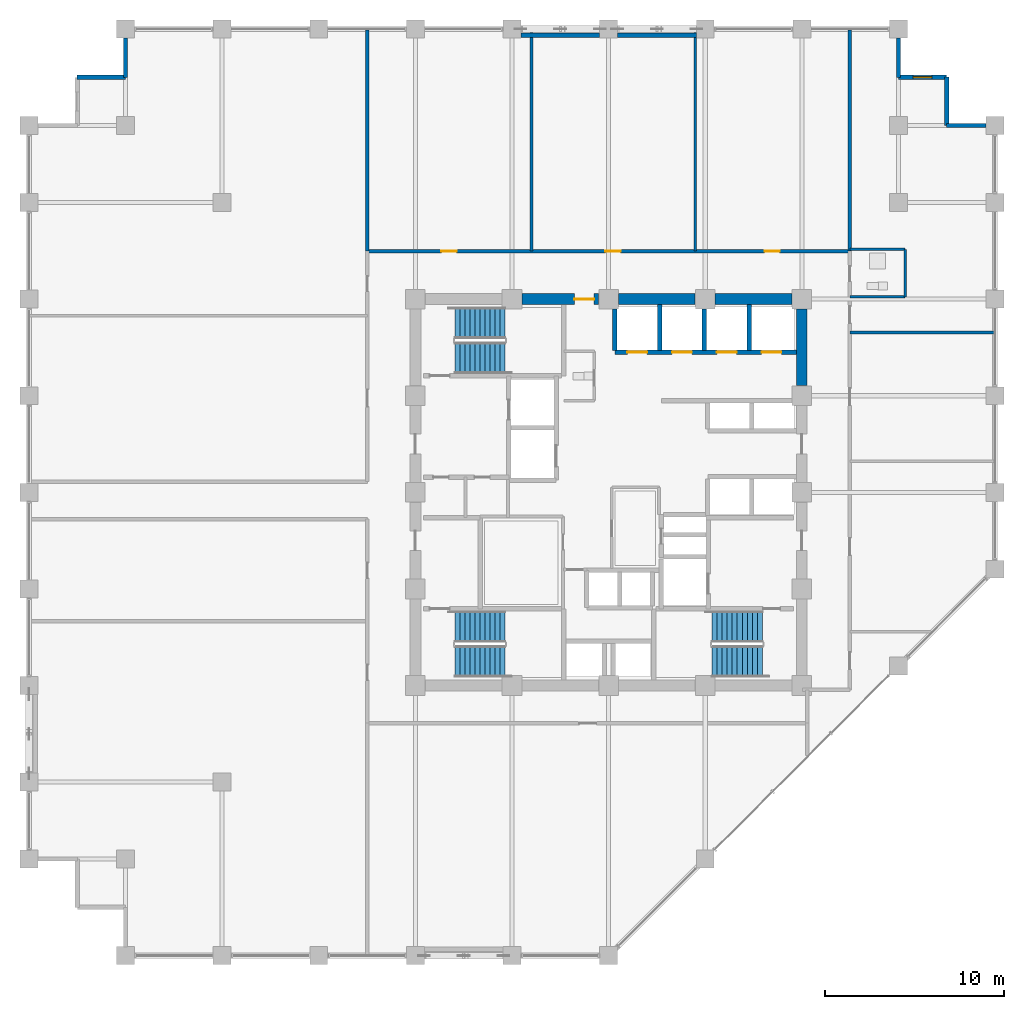
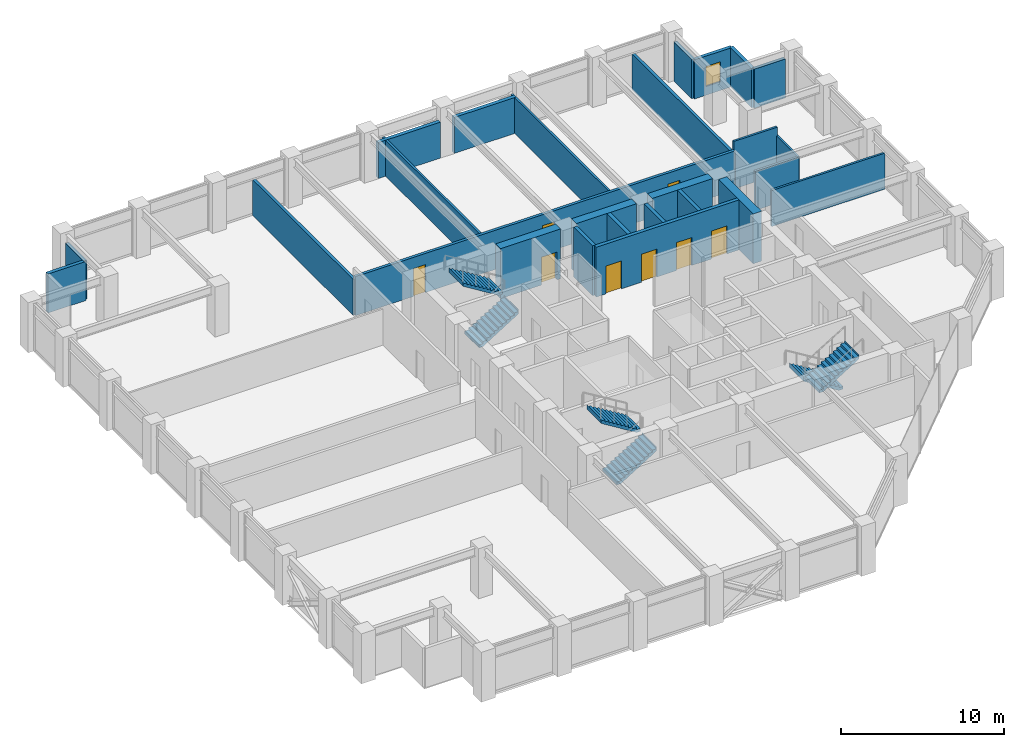
# One storey, part 21 of 23: 26 walls, 8 doors, 6 stair flights, 1 window, 9 openings, 3 elements without a shape of their own.
"""IFC4 building model written with IfcOpenShell, lengths in metres."""

from ifc_helpers import new_model, si_unit, direction, frame, frame_2d, origin, place, context, subcontext, project, spatial, polyline, rectangle, outline, extrude, material, layer, layer_set, type_object, element, fill, aggregate, save


model = new_model("IFC4")

# Units and contexts
model_context = context("Model", 3, precision=1e-05, world=origin(), true_north=direction((0.0, 1.0)))
body_context = subcontext(model_context, "Body", "Model", "MODEL_VIEW")
ifc_project = project(units=[si_unit("LENGTHUNIT", "METRE"), si_unit("AREAUNIT", "SQUARE_METRE"), si_unit("VOLUMEUNIT", "CUBIC_METRE"), si_unit("PLANEANGLEUNIT", "RADIAN"), si_unit("MASSUNIT", "GRAM", prefix="KILO")], contexts=[model_context])

# Site, building, storey
site_placement = place(None, origin())
site = spatial("IfcSite", under=ifc_project, at=site_placement, CompositionType="ELEMENT")
building_placement = place(site_placement, origin())
building = spatial("IfcBuilding", under=site, at=building_placement, Name="Surkhivell Harbour Commons", CompositionType="ELEMENT")
storey_placement = place(building_placement, frame((0.0, 0.0, 132.0)))
storey = spatial("IfcBuildingStorey", under=building, at=storey_placement, Name="L34", CompositionType="ELEMENT", Elevation=132.0)

# Wall, opening, door
ifc_material_1 = material(Name="Concrete C60/75", Category="concrete")
ifc_layer_1 = layer(ifc_material_1, 0.60009765625)
ifc_layer_set_1 = layer_set([ifc_layer_1], Name="Concrete C60/75")
wall_type_1 = type_object("IfcWallType", Name="WAL-CORE-600", PredefinedType="SHEAR", material=ifc_layer_set_1)
wall_1_placement = place(storey_placement, frame((-4.840087890625, 10.800048828125, 0.0), z_axis=(0.0, 0.0, 1.0), x_axis=(1.0, 0.0, 0.0)))
wall_1 = element("IfcWall", 1, at=wall_1_placement, inside=storey, type_object=wall_type_1, Name="L34 Core Shear Wall North 2", PredefinedType="SHEAR", context=body_context, shape_type="SweptSolid", body=[
    extrude(rectangle(XDim=4.280029296875, YDim=0.60009765625, at=frame_2d((2.14013671875, 0.0))), origin(), (0.0, 0.0, 1.0), 3.75),
])
opening_1_placement = place(wall_1_placement, frame((2.929931640625, 0.0, 0.0)))
opening_1 = element("IfcOpeningElement", 2, at=opening_1_placement, cuts=wall_1, Name="Opening ID-2", PredefinedType="OPENING", context=body_context, shape_type="SweptSolid", body=[
    extrude(rectangle(XDim=1.10009765625, YDim=2.10009765625, at=frame_2d((0.550048828125, 1.050048828125))), frame((0.0, 0.31005859375, 0.0), z_axis=(0.0, -1.0, 0.0), x_axis=(1.0, 0.0, 0.0)), (0.0, 0.0, 1.0), 0.6201171875),
])
ifc_material_2 = material(Name="Hardwood-veneered fire-rated door leaf", Category="wood")
door_type_1 = type_object("IfcDoorType", Name="DOR-FD60-1100", OperationType="NOTDEFINED", PredefinedType="DOOR", material=ifc_material_2)
door_1_placement = place(opening_1_placement, origin())
door_1 = element("IfcDoor", 3, at=door_1_placement, inside=storey, type_object=door_type_1, Name="L34 Central Core Lift Hall North Corridor Door", OperationType="SINGLE_SWING_LEFT", OverallHeight=2.10009765625, OverallWidth=1.10009765625, PredefinedType="DOOR", context=body_context, shape_type="SweptSolid", body=[
    extrude(rectangle(XDim=1.10009765625, YDim=2.10009765625, at=frame_2d((0.550048828125, 1.050048828125))), frame((0.0, 0.02490234375, 0.0), z_axis=(0.0, -1.0, 0.0), x_axis=(1.0, 0.0, 0.0)), (0.0, 0.0, 1.0), 0.050048828125),
])
fill(opening_1, door_1)

# Walls
for number, where, z_axis, x_axis, name in (
    (4, (0.56005859375, 10.800048828125, 0.0), (0.0, 0.0, 1.0), (1.0, 0.0, 0.0), "L34 Core Shear Wall North 3"),
    (5, (5.9599609375, 10.800048828125, 0.0), (0.0, 0.0, 1.0), (1.0, 0.0, 0.0), "L34 Core Shear Wall North 4"),
    (6, (10.800048828125, 5.9599609375, 0.0), (0.0, 0.0, 1.0), (0.0, 1.0, 0.0), "L34 Core Shear Wall East 4"),
):
    element("IfcWall", number, at=place(storey_placement, frame(where, z_axis=z_axis, x_axis=x_axis)), inside=storey, type_object=wall_type_1, Name=name, PredefinedType="SHEAR", context=body_context, shape_type="SweptSolid", body=[
        extrude(rectangle(XDim=4.280029296875, YDim=0.60009765625, at=frame_2d((2.14013671875, 0.0))), origin(), (0.0, 0.0, 1.0), 3.75),
    ])
ifc_material_3 = material(Name="Pale-metal insulated precast concrete C45/55", Category="concrete")
ifc_layer_2 = layer(ifc_material_3, 0.260009765625)
ifc_layer_set_2 = layer_set([ifc_layer_2], Name="Pale-metal insulated precast concrete C45/55")
wall_type_2 = type_object("IfcWallType", Name="WAL-EXT-MTL260", PredefinedType="STANDARD", material=ifc_layer_set_2)
for number, where, z_axis, x_axis, name in (
    (7, (-0.498046875, 25.5400390625, 0.0), (0.0, 0.0, 1.0), (-1.0, 0.0, 0.0), "L34 Braced-Bay Insulated Spandrel Backing N"),
    (8, (4.902099609375, 25.5400390625, 0.0), (0.0, 0.0, 1.0), (-1.0, 0.0, 0.0), "L34 Braced-Bay Insulated Spandrel Backing N2"),
):
    element("IfcWall", number, at=place(storey_placement, frame(where, z_axis=z_axis, x_axis=x_axis)), inside=storey, type_object=wall_type_2, Name=name, PredefinedType="STANDARD", context=body_context, shape_type="SweptSolid", body=[
        extrude(rectangle(XDim=4.404052734375, YDim=0.260009765625, at=frame_2d((2.2021484375, 0.0))), origin(), (0.0, 0.0, 1.0), 2.698974609375),
    ])
ifc_material_4 = material(Name="Bronze-ochre cassette precast concrete C45/55", Category="concrete")
ifc_layer_3 = layer(ifc_material_4, 0.239990234375)
ifc_layer_set_3 = layer_set([ifc_layer_3], Name="Bronze-ochre cassette precast concrete C45/55")
wall_type_3 = type_object("IfcWallType", Name="WAL-EXT-OCH240", PredefinedType="STANDARD", material=ifc_layer_set_3)
wall_2_placement = place(storey_placement, frame((21.10205078125, 20.5, 0.0), z_axis=(0.0, 0.0, 1.0), x_axis=(-1.0, 0.0, 0.0)))
element("IfcWall", 9, at=wall_2_placement, inside=storey, type_object=wall_type_3, Name="L34 Serrated Corner Facade Wall 03", PredefinedType="STANDARD", context=body_context, shape_type="SweptSolid", body=[
    extrude(rectangle(XDim=2.2021484375, YDim=0.239990234375, at=frame_2d((1.10107421875, 0.0))), origin(), (0.0, 0.0, 1.0), 2.93310546875),
])
wall_3_placement = place(storey_placement, frame((18.89990234375, 20.5, 0.0), z_axis=(0.0, 0.0, 1.0), x_axis=(0.0, 1.0, 0.0)))
element("IfcWall", 10, at=wall_3_placement, inside=storey, type_object=wall_type_3, Name="L34 Serrated Corner Facade Wall 04", PredefinedType="STANDARD", context=body_context, shape_type="SweptSolid", body=[
    extrude(rectangle(XDim=2.699951171875, YDim=0.239990234375, at=frame_2d((1.35009765625, 0.0))), origin(), (0.0, 0.0, 1.0), 2.93310546875),
])

# Wall, opening, window
wall_4_placement = place(storey_placement, frame((18.89990234375, 23.199951171875, 0.0), z_axis=(0.0, 0.0, 1.0), x_axis=(-1.0, 0.0, 0.0)))
wall_4 = element("IfcWall", 11, at=wall_4_placement, inside=storey, type_object=wall_type_3, Name="L34 Serrated Corner Facade Wall 05", PredefinedType="STANDARD", context=body_context, shape_type="SweptSolid", body=[
    extrude(rectangle(XDim=2.699951171875, YDim=0.239990234375, at=frame_2d((1.35009765625, 0.0))), origin(), (0.0, 0.0, 1.0), 2.93310546875),
])
opening_2_placement = place(wall_4_placement, frame((0.824951171875, 0.0, 0.64990234375)))
opening_2 = element("IfcOpeningElement", 12, at=opening_2_placement, cuts=wall_4, Name="Opening WN-11", PredefinedType="OPENING", context=body_context, shape_type="SweptSolid", body=[
    extrude(rectangle(XDim=1.050048828125, YDim=1.5, at=frame_2d((0.52490234375, 0.75))), frame((0.0, 0.1298828125, 0.0), z_axis=(0.0, -1.0, 0.0), x_axis=(1.0, 0.0, 0.0)), (0.0, 0.0, 1.0), 0.260009765625),
])
ifc_material_5 = material(Name="Thermal-break aluminium frame and double low-E glazing", Category="aluminium")
window_type = type_object("IfcWindowType", Name="WIN-SER-1050x1500", PartitioningType="SINGLE_PANEL", PredefinedType="WINDOW", material=ifc_material_5)
window_placement = place(opening_2_placement, origin())
window = element("IfcWindow", 13, at=window_placement, inside=storey, type_object=window_type, Name="L34 Serrated Alcove Window 05", OverallHeight=1.5, OverallWidth=1.050048828125, PartitioningType="SINGLE_PANEL", PredefinedType="WINDOW", context=body_context, shape_type="SweptSolid", body=[
    extrude(rectangle(XDim=1.050048828125, YDim=1.5, at=frame_2d((0.52490234375, 0.75))), frame((0.0, 0.030029296875, 0.0), z_axis=(0.0, -1.0, 0.0), x_axis=(1.0, 0.0, 0.0)), (0.0, 0.0, 1.0), 0.06005859375),
])
fill(opening_2, window)

# Walls
for number, where, z_axis, x_axis, name in (
    (14, (16.199951171875, 23.199951171875, 0.0), (0.0, 0.0, 1.0), (0.0, 1.0, 0.0), "L34 Serrated Corner Facade Wall 06"),
    (15, (-27.0, 25.402099609375, 0.0), (0.0, 0.0, 1.0), (0.0, -1.0, 0.0), "L34 Serrated Corner Facade Wall 08"),
):
    element("IfcWall", number, at=place(storey_placement, frame(where, z_axis=z_axis, x_axis=x_axis)), inside=storey, type_object=wall_type_3, Name=name, PredefinedType="STANDARD", context=body_context, shape_type="SweptSolid", body=[
        extrude(rectangle(XDim=2.2021484375, YDim=0.239990234375, at=frame_2d((1.10107421875, 0.0))), origin(), (0.0, 0.0, 1.0), 2.93310546875),
    ])
wall_5_placement = place(storey_placement, frame((-27.0, 23.199951171875, 0.0), z_axis=(0.0, 0.0, 1.0), x_axis=(-1.0, 0.0, 0.0)))
element("IfcWall", 16, at=wall_5_placement, inside=storey, type_object=wall_type_3, Name="L34 Serrated Corner Facade Wall 09", PredefinedType="STANDARD", context=body_context, shape_type="SweptSolid", body=[
    extrude(rectangle(XDim=2.699951171875, YDim=0.239990234375, at=frame_2d((1.35009765625, 0.0))), origin(), (0.0, 0.0, 1.0), 2.93310546875),
])
ifc_material_6 = material(Name="Twin-stud acoustic fireboard partition", Category="other")
ifc_layer_4 = layer(ifc_material_6, 0.14990234375)
ifc_layer_set_4 = layer_set([ifc_layer_4], Name="Twin-stud acoustic fireboard partition")
wall_type_4 = type_object("IfcWallType", Name="WAL-INT-150", PredefinedType="PARTITIONING", material=ifc_layer_set_4)
wall_6_placement = place(storey_placement, frame((16.580078125, 10.929931640625, 0.0), z_axis=(0.0, 0.0, 1.0), x_axis=(0.0, 1.0, 0.0)))
element("IfcWall", 17, at=wall_6_placement, inside=storey, type_object=wall_type_4, Name="L34 East Partition BTHB", PredefinedType="PARTITIONING", context=body_context, shape_type="SweptSolid", body=[
    extrude(rectangle(XDim=2.650146484375, YDim=0.14990234375, at=frame_2d((1.3251953125, 0.0))), origin(), (0.0, 0.0, 1.0), 2.93310546875),
])
wall_7_placement = place(storey_placement, frame((13.47998046875, 13.580078125, 0.0), z_axis=(0.0, 0.0, 1.0), x_axis=(1.0, 0.0, 0.0)))
element("IfcWall", 18, at=wall_7_placement, inside=storey, type_object=wall_type_4, Name="L34 East Partition BTHN", PredefinedType="PARTITIONING", context=body_context, shape_type="SweptSolid", body=[
    extrude(rectangle(XDim=3.10009765625, YDim=0.14990234375, at=frame_2d((1.550048828125, 0.0))), origin(), (0.0, 0.0, 1.0), 3.570068359375),
])
wall_8_placement = place(storey_placement, frame((13.47998046875, 10.929931640625, 0.0), z_axis=(0.0, 0.0, 1.0), x_axis=(1.0, 0.0, 0.0)))
element("IfcWall", 19, at=wall_8_placement, inside=storey, type_object=wall_type_4, Name="L34 East Partition BTHS", PredefinedType="PARTITIONING", context=body_context, shape_type="SweptSolid", body=[
    extrude(rectangle(XDim=3.10009765625, YDim=0.14990234375, at=frame_2d((1.550048828125, 0.0))), origin(), (0.0, 0.0, 1.0), 2.93310546875),
])
wall_9_placement = place(storey_placement, frame((13.47998046875, 8.929931640625, 0.0), z_axis=(0.0, 0.0, 1.0), x_axis=(1.0, 0.0, 0.0)))
element("IfcWall", 20, at=wall_9_placement, inside=storey, type_object=wall_type_4, Name="L34 East Partition PTOP", PredefinedType="PARTITIONING", context=body_context, shape_type="SweptSolid", body=[
    extrude(rectangle(XDim=8.06005859375, YDim=0.14990234375, at=frame_2d((4.030029296875, 0.0))), origin(), (0.0, 0.0, 1.0), 2.698974609375),
])
for number, where, z_axis, x_axis, name in (
    (21, (-4.31005859375, 13.47998046875, 0.0), (0.0, 0.0, 1.0), (0.0, 1.0, 0.0), "L34 North Partition P1"),
    (22, (4.85009765625, 13.47998046875, 0.0), (0.0, 0.0, 1.0), (0.0, 1.0, 0.0), "L34 North Partition P2"),
):
    element("IfcWall", number, at=place(storey_placement, frame(where, z_axis=z_axis, x_axis=x_axis)), inside=storey, type_object=wall_type_4, Name=name, PredefinedType="PARTITIONING", context=body_context, shape_type="SweptSolid", body=[
        extrude(rectangle(XDim=12.360107421875, YDim=0.14990234375, at=frame_2d((6.18017578125, 0.0))), origin(), (0.0, 0.0, 1.0), 2.698974609375),
    ])
ifc_material_7 = material(Name="Autoclaved aerated concrete blockwork and fire plaster", Category="masonry")
ifc_layer_5 = layer(ifc_material_7, 0.199951171875)
ifc_layer_set_5 = layer_set([ifc_layer_5], Name="Autoclaved aerated concrete blockwork and fire plaster")
wall_type_5 = type_object("IfcWallType", Name="WAL-INT-200", PredefinedType="PARTITIONING", material=ifc_layer_set_5)
for number, where, z_axis, x_axis, name in (
    (23, (13.47998046875, 13.47998046875, 0.0), (0.0, 0.0, 1.0), (0.0, 1.0, 0.0), "L34 North-East Wing Corner Divider"),
    (24, (-13.47998046875, 13.47998046875, 0.0), (0.0, 0.0, 1.0), (0.0, 1.0, 0.0), "L34 North-West Wing Corner Divider"),
):
    element("IfcWall", number, at=place(storey_placement, frame(where, z_axis=z_axis, x_axis=x_axis)), inside=storey, type_object=wall_type_5, Name=name, PredefinedType="PARTITIONING", context=body_context, shape_type="SweptSolid", body=[
        extrude(rectangle(XDim=12.360107421875, YDim=0.199951171875, at=frame_2d((6.18017578125, 0.0))), origin(), (0.0, 0.0, 1.0), 2.698974609375),
    ])

# Wall, openings, doors
wall_10_placement = place(storey_placement, frame((-13.47998046875, 13.47998046875, 0.0), z_axis=(0.0, 0.0, 1.0), x_axis=(1.0, 0.0, 0.0)))
wall_10 = element("IfcWall", 25, at=wall_10_placement, inside=storey, type_object=wall_type_5, Name="L34 Corridor North Wall", PredefinedType="PARTITIONING", context=body_context, shape_type="SweptSolid", body=[
    extrude(rectangle(XDim=26.9599609375, YDim=0.199951171875, at=frame_2d((13.47998046875, 0.0))), origin(), (0.0, 0.0, 1.0), 2.93310546875),
])
opening_3_placement = place(wall_10_placement, frame((4.135009765625, 0.0, 0.0)))
opening_3 = element("IfcOpeningElement", 26, at=opening_3_placement, cuts=wall_10, Name="Opening ID-6", PredefinedType="OPENING", context=body_context, shape_type="SweptSolid", body=[
    extrude(rectangle(XDim=0.85009765625, YDim=2.10009765625, at=frame_2d((0.425048828125, 1.050048828125))), frame((0.0, 0.10986328125, 0.0), z_axis=(0.0, -1.0, 0.0), x_axis=(1.0, 0.0, 0.0)), (0.0, 0.0, 1.0), 0.219970703125),
])
opening_4_placement = place(wall_10_placement, frame((13.300048828125, 0.0, 0.0)))
opening_4 = element("IfcOpeningElement", 27, at=opening_4_placement, cuts=wall_10, Name="Opening ID-6", PredefinedType="OPENING", context=body_context, shape_type="SweptSolid", body=[
    extrude(rectangle(XDim=0.85009765625, YDim=2.10009765625, at=frame_2d((0.425048828125, 1.050048828125))), frame((0.0, 0.10986328125, 0.0), z_axis=(0.0, -1.0, 0.0), x_axis=(1.0, 0.0, 0.0)), (0.0, 0.0, 1.0), 0.219970703125),
])
opening_5_placement = place(wall_10_placement, frame((22.195068359375, 0.0, 0.0)))
opening_5 = element("IfcOpeningElement", 28, at=opening_5_placement, cuts=wall_10, Name="Opening ID-6", PredefinedType="OPENING", context=body_context, shape_type="SweptSolid", body=[
    extrude(rectangle(XDim=0.85009765625, YDim=2.10009765625, at=frame_2d((0.425048828125, 1.050048828125))), frame((0.0, 0.10986328125, 0.0), z_axis=(0.0, -1.0, 0.0), x_axis=(1.0, 0.0, 0.0)), (0.0, 0.0, 1.0), 0.219970703125),
])
door_type_2 = type_object("IfcDoorType", Name="DOR-FD30-850", OperationType="NOTDEFINED", PredefinedType="DOOR", material=ifc_material_2)
door_2_placement = place(opening_3_placement, origin())
door_2 = element("IfcDoor", 29, at=door_2_placement, inside=storey, type_object=door_type_2, Name="L34 Academic Seminar Room 1 North Door", OperationType="SINGLE_SWING_LEFT", OverallHeight=2.10009765625, OverallWidth=0.85009765625, PredefinedType="DOOR", context=body_context, shape_type="SweptSolid", body=[
    extrude(rectangle(XDim=0.85009765625, YDim=2.10009765625, at=frame_2d((0.425048828125, 1.050048828125))), frame((0.0, 0.02490234375, 0.0), z_axis=(0.0, -1.0, 0.0), x_axis=(1.0, 0.0, 0.0)), (0.0, 0.0, 1.0), 0.050048828125),
])
fill(opening_3, door_2)
door_3_placement = place(opening_4_placement, origin())
door_3 = element("IfcDoor", 30, at=door_3_placement, inside=storey, type_object=door_type_2, Name="L34 Academic Seminar Room 2 North Door", OperationType="SINGLE_SWING_RIGHT", OverallHeight=2.10009765625, OverallWidth=0.85009765625, PredefinedType="DOOR", context=body_context, shape_type="SweptSolid", body=[
    extrude(rectangle(XDim=0.85009765625, YDim=2.10009765625, at=frame_2d((0.425048828125, 1.050048828125))), frame((0.0, 0.02490234375, 0.0), z_axis=(0.0, -1.0, 0.0), x_axis=(1.0, 0.0, 0.0)), (0.0, 0.0, 1.0), 0.050048828125),
])
fill(opening_4, door_3)
door_4_placement = place(opening_5_placement, origin())
door_4 = element("IfcDoor", 31, at=door_4_placement, inside=storey, type_object=door_type_2, Name="L34 Academic Seminar Room 3 North Door", OperationType="SINGLE_SWING_LEFT", OverallHeight=2.10009765625, OverallWidth=0.85009765625, PredefinedType="DOOR", context=body_context, shape_type="SweptSolid", body=[
    extrude(rectangle(XDim=0.85009765625, YDim=2.10009765625, at=frame_2d((0.425048828125, 1.050048828125))), frame((0.0, 0.02490234375, 0.0), z_axis=(0.0, -1.0, 0.0), x_axis=(1.0, 0.0, 0.0)), (0.0, 0.0, 1.0), 0.050048828125),
])
fill(opening_5, door_4)

# Walls
ifc_material_8 = material(Name="Concrete C50/60", Category="concrete")
ifc_layer_6 = layer(ifc_material_8, 0.25)
ifc_layer_set_6 = layer_set([ifc_layer_6], Name="Concrete C50/60")
wall_type_6 = type_object("IfcWallType", Name="WAL-SHAFT-250", PredefinedType="SHEAR", material=ifc_layer_set_6)
wall_11_placement = place(storey_placement, frame((2.85009765625, 7.93994140625, 0.0), z_axis=(0.0, 0.0, 1.0), x_axis=(0.0, 1.0, 0.0)))
element("IfcWall", 32, at=wall_11_placement, inside=storey, type_object=wall_type_6, Name="L34 Low-Rise Hoistway Wall", PredefinedType="SHEAR", context=body_context, shape_type="SweptSolid", body=[
    extrude(rectangle(XDim=2.56005859375, YDim=0.25, at=frame_2d((1.280029296875, 0.0))), origin(), (0.0, 0.0, 1.0), 3.75),
])
for number, where, z_axis, x_axis, name in (
    (33, (0.35009765625, 7.93994140625, 0.0), (0.0, 0.0, 1.0), (0.0, 1.0, 0.0), "L34 Low-Rise Hoistway Wall"),
    (34, (5.35009765625, 7.93994140625, 0.0), (0.0, 0.0, 1.0), (0.0, 1.0, 0.0), "L34 Low-Rise Hoistway Wall"),
):
    element("IfcWall", number, at=place(storey_placement, frame(where, z_axis=z_axis, x_axis=x_axis)), inside=storey, type_object=wall_type_6, Name=name, PredefinedType="SHEAR", context=body_context, shape_type="SweptSolid", body=[
        extrude(rectangle(XDim=2.31005859375, YDim=0.25, at=frame_2d((1.155029296875, 0.0))), origin(), (0.0, 0.0, 1.0), 3.75),
    ])
wall_12_placement = place(storey_placement, frame((7.85009765625, 7.93994140625, 0.0), z_axis=(0.0, 0.0, 1.0), x_axis=(0.0, 1.0, 0.0)))
element("IfcWall", 35, at=wall_12_placement, inside=storey, type_object=wall_type_6, Name="L34 Low-Rise Hoistway Wall", PredefinedType="SHEAR", context=body_context, shape_type="SweptSolid", body=[
    extrude(rectangle(XDim=2.56005859375, YDim=0.25, at=frame_2d((1.280029296875, 0.0))), origin(), (0.0, 0.0, 1.0), 3.75),
])

# Wall, openings, doors
wall_13_placement = place(storey_placement, frame((0.35009765625, 7.820068359375, 0.0), z_axis=(0.0, 0.0, 1.0), x_axis=(1.0, 0.0, 0.0)))
wall_13 = element("IfcWall", 36, at=wall_13_placement, inside=storey, type_object=wall_type_6, Name="L34 Low-Rise Lift Front Shaft Wall", PredefinedType="SHEAR", context=body_context, shape_type="SweptSolid", body=[
    extrude(rectangle(XDim=10.14990234375, YDim=0.25, at=frame_2d((5.074951171875, 0.0))), origin(), (0.0, 0.0, 1.0), 3.75),
])
opening_6_placement = place(wall_13_placement, frame((0.699951171875, 0.0, 0.0)))
opening_6 = element("IfcOpeningElement", 37, at=opening_6_placement, cuts=wall_13, Name="Opening LD-1", PredefinedType="OPENING", context=body_context, shape_type="SweptSolid", body=[
    extrude(rectangle(XDim=1.10009765625, YDim=2.10009765625, at=frame_2d((0.550048828125, 1.050048828125))), frame((0.0, 0.135009765625, 0.0), z_axis=(0.0, -1.0, 0.0), x_axis=(1.0, 0.0, 0.0)), (0.0, 0.0, 1.0), 0.27001953125),
])
opening_7_placement = place(wall_13_placement, frame((3.199951171875, 0.0, 0.0)))
opening_7 = element("IfcOpeningElement", 38, at=opening_7_placement, cuts=wall_13, Name="Opening LD-1", PredefinedType="OPENING", context=body_context, shape_type="SweptSolid", body=[
    extrude(rectangle(XDim=1.10009765625, YDim=2.10009765625, at=frame_2d((0.550048828125, 1.050048828125))), frame((0.0, 0.135009765625, 0.0), z_axis=(0.0, -1.0, 0.0), x_axis=(1.0, 0.0, 0.0)), (0.0, 0.0, 1.0), 0.27001953125),
])
opening_8_placement = place(wall_13_placement, frame((5.699951171875, 0.0, 0.0)))
opening_8 = element("IfcOpeningElement", 39, at=opening_8_placement, cuts=wall_13, Name="Opening LD-1", PredefinedType="OPENING", context=body_context, shape_type="SweptSolid", body=[
    extrude(rectangle(XDim=1.10009765625, YDim=2.10009765625, at=frame_2d((0.550048828125, 1.050048828125))), frame((0.0, 0.135009765625, 0.0), z_axis=(0.0, -1.0, 0.0), x_axis=(1.0, 0.0, 0.0)), (0.0, 0.0, 1.0), 0.27001953125),
])
opening_9_placement = place(wall_13_placement, frame((8.199951171875, 0.0, 0.0)))
opening_9 = element("IfcOpeningElement", 40, at=opening_9_placement, cuts=wall_13, Name="Opening LD-1", PredefinedType="OPENING", context=body_context, shape_type="SweptSolid", body=[
    extrude(rectangle(XDim=1.10009765625, YDim=2.10009765625, at=frame_2d((0.550048828125, 1.050048828125))), frame((0.0, 0.135009765625, 0.0), z_axis=(0.0, -1.0, 0.0), x_axis=(1.0, 0.0, 0.0)), (0.0, 0.0, 1.0), 0.27001953125),
])
ifc_material_9 = material(Name="Brushed stainless steel S355", Category="steel")
door_type_3 = type_object("IfcDoorType", Name="DOR-LD-1100", OperationType="SLIDING_TO_LEFT", PredefinedType="DOOR", material=ifc_material_9)
door_5_placement = place(opening_6_placement, origin())
door_5 = element("IfcDoor", 41, at=door_5_placement, inside=storey, type_object=door_type_3, Name="L34 Lift Landing Door LD-PL1", OperationType="SLIDING_TO_LEFT", OverallHeight=2.10009765625, OverallWidth=1.10009765625, PredefinedType="DOOR", context=body_context, shape_type="SweptSolid", body=[
    extrude(rectangle(XDim=1.10009765625, YDim=2.10009765625, at=frame_2d((0.550048828125, 1.050048828125))), frame((0.0, 0.02490234375, 0.0), z_axis=(0.0, -1.0, 0.0), x_axis=(1.0, 0.0, 0.0)), (0.0, 0.0, 1.0), 0.050048828125),
])
fill(opening_6, door_5)
door_6_placement = place(opening_7_placement, origin())
door_6 = element("IfcDoor", 42, at=door_6_placement, inside=storey, type_object=door_type_3, Name="L34 Lift Landing Door LD-PL2", OperationType="SLIDING_TO_LEFT", OverallHeight=2.10009765625, OverallWidth=1.10009765625, PredefinedType="DOOR", context=body_context, shape_type="SweptSolid", body=[
    extrude(rectangle(XDim=1.10009765625, YDim=2.10009765625, at=frame_2d((0.550048828125, 1.050048828125))), frame((0.0, 0.02490234375, 0.0), z_axis=(0.0, -1.0, 0.0), x_axis=(1.0, 0.0, 0.0)), (0.0, 0.0, 1.0), 0.050048828125),
])
fill(opening_7, door_6)
door_7_placement = place(opening_8_placement, origin())
door_7 = element("IfcDoor", 43, at=door_7_placement, inside=storey, type_object=door_type_3, Name="L34 Lift Landing Door LD-PL3", OperationType="SLIDING_TO_LEFT", OverallHeight=2.10009765625, OverallWidth=1.10009765625, PredefinedType="DOOR", context=body_context, shape_type="SweptSolid", body=[
    extrude(rectangle(XDim=1.10009765625, YDim=2.10009765625, at=frame_2d((0.550048828125, 1.050048828125))), frame((0.0, 0.02490234375, 0.0), z_axis=(0.0, -1.0, 0.0), x_axis=(1.0, 0.0, 0.0)), (0.0, 0.0, 1.0), 0.050048828125),
])
fill(opening_8, door_7)
door_8_placement = place(opening_9_placement, origin())
door_8 = element("IfcDoor", 44, at=door_8_placement, inside=storey, type_object=door_type_3, Name="L34 Lift Landing Door LD-PL4", OperationType="SLIDING_TO_LEFT", OverallHeight=2.10009765625, OverallWidth=1.10009765625, PredefinedType="DOOR", context=body_context, shape_type="SweptSolid", body=[
    extrude(rectangle(XDim=1.10009765625, YDim=2.10009765625, at=frame_2d((0.550048828125, 1.050048828125))), frame((0.0, 0.02490234375, 0.0), z_axis=(0.0, -1.0, 0.0), x_axis=(1.0, 0.0, 0.0)), (0.0, 0.0, 1.0), 0.050048828125),
])
fill(opening_9, door_8)

# Stair, stair flights
ifc_material_10 = material(Name="Precast concrete C45/55", Category="concrete")
stair_type = type_object("IfcStairType", Name="STR-DL-375", PredefinedType="HALF_TURN_STAIR", material=ifc_material_10)
stair_1_placement = place(storey_placement, origin())
stair_1 = element("IfcStair", 45, at=stair_1_placement, inside=storey, type_object=stair_type, Name="L34 Core Exit Stair ST1", PredefinedType="HALF_TURN_STAIR")
stair_flight_type = type_object("IfcStairFlightType", Name="STF-DL-375", PredefinedType="STRAIGHT", material=ifc_material_10)
stair_flight_1_placement = place(storey_placement, frame((-8.590087890625, 7.514892578125, 0.0), z_axis=(0.0, 0.0, 1.0), x_axis=(1.0, 0.0, 0.0)))
stair_flight_1 = element("IfcStairFlight", 46, at=stair_flight_1_placement, type_object=stair_flight_type, Name="ST1 flight 1", NumberOfRisers=11, NumberOfTreads=10, PredefinedType="STRAIGHT", RiserHeight=0.170454545, TreadLength=0.28, context=body_context, shape_type="SweptSolid", body=[
    extrude(outline(polyline([(-0.0029296875, -0.034912109375), (-0.0029296875, 0.0), (0.0, 0.0), (0.0, 0.17041015625), (0.280029296875, 0.17041015625), (0.280029296875, 0.3408203125), (0.56005859375, 0.3408203125), (0.56005859375, 0.511474609375), (0.840087890625, 0.511474609375), (0.840087890625, 0.681884765625), (1.1201171875, 0.681884765625), (1.1201171875, 0.852294921875), (1.39990234375, 0.852294921875), (1.39990234375, 1.022705078125), (1.679931640625, 1.022705078125), (1.679931640625, 1.193115234375), (1.9599609375, 1.193115234375), (1.9599609375, 1.363525390625), (2.239990234375, 1.363525390625), (2.239990234375, 1.5341796875), (2.52001953125, 1.5341796875), (2.52001953125, 1.70458984375), (2.800048828125, 1.70458984375), (2.800048828125, 1.875), (2.802978515625, 1.875), (2.802978515625, 1.529052734375), (0.288330078125, -0.034912109375), (-0.0029296875, -0.034912109375)])), frame((0.0, 0.875, 0.0), z_axis=(0.0, -1.0, 0.0), x_axis=(1.0, 0.0, 0.0)), (0.0, 0.0, 1.0), 1.75),
])
stair_flight_2_placement = place(storey_placement, frame((-5.7900390625, 9.465087890625, 1.875), z_axis=(0.0, 0.0, 1.0), x_axis=(-1.0, 0.0, 0.0)))
stair_flight_2 = element("IfcStairFlight", 47, at=stair_flight_2_placement, type_object=stair_flight_type, Name="ST1 flight 2", NumberOfRisers=11, NumberOfTreads=10, PredefinedType="STRAIGHT", RiserHeight=0.170454545, TreadLength=0.28, context=body_context, shape_type="SweptSolid", body=[
    extrude(outline(polyline([(-0.0029296875, -0.034912109375), (-0.0029296875, 0.0), (0.0, 0.0), (0.0, 0.17041015625), (0.280029296875, 0.17041015625), (0.280029296875, 0.3408203125), (0.56005859375, 0.3408203125), (0.56005859375, 0.511474609375), (0.840087890625, 0.511474609375), (0.840087890625, 0.681884765625), (1.1201171875, 0.681884765625), (1.1201171875, 0.852294921875), (1.39990234375, 0.852294921875), (1.39990234375, 1.022705078125), (1.679931640625, 1.022705078125), (1.679931640625, 1.193115234375), (1.9599609375, 1.193115234375), (1.9599609375, 1.363525390625), (2.239990234375, 1.363525390625), (2.239990234375, 1.5341796875), (2.52001953125, 1.5341796875), (2.52001953125, 1.70458984375), (2.800048828125, 1.70458984375), (2.800048828125, 1.875), (2.802978515625, 1.875), (2.802978515625, 1.529052734375), (0.288330078125, -0.034912109375), (-0.0029296875, -0.034912109375)])), frame((0.0, 0.875, 0.0), z_axis=(0.0, -1.0, 0.0), x_axis=(1.0, 0.0, 0.0)), (0.0, 0.0, 1.0), 1.75),
])
aggregate(stair_1, [stair_flight_1, stair_flight_2])

stair_2_placement = place(storey_placement, origin())
stair_2 = element("IfcStair", 48, at=stair_2_placement, inside=storey, type_object=stair_type, Name="L34 Core Exit Stair ST2", PredefinedType="HALF_TURN_STAIR")
stair_flight_3_placement = place(storey_placement, frame((8.590087890625, -7.514892578125, 0.0), z_axis=(0.0, 0.0, 1.0), x_axis=(-1.0, 0.0, 0.0)))
stair_flight_3 = element("IfcStairFlight", 49, at=stair_flight_3_placement, type_object=stair_flight_type, Name="ST2 flight 1", NumberOfRisers=11, NumberOfTreads=10, PredefinedType="STRAIGHT", RiserHeight=0.170454545, TreadLength=0.28, context=body_context, shape_type="SweptSolid", body=[
    extrude(outline(polyline([(-0.0029296875, -0.034912109375), (-0.0029296875, 0.0), (0.0, 0.0), (0.0, 0.17041015625), (0.280029296875, 0.17041015625), (0.280029296875, 0.3408203125), (0.56005859375, 0.3408203125), (0.56005859375, 0.511474609375), (0.840087890625, 0.511474609375), (0.840087890625, 0.681884765625), (1.1201171875, 0.681884765625), (1.1201171875, 0.852294921875), (1.39990234375, 0.852294921875), (1.39990234375, 1.022705078125), (1.679931640625, 1.022705078125), (1.679931640625, 1.193115234375), (1.9599609375, 1.193115234375), (1.9599609375, 1.363525390625), (2.239990234375, 1.363525390625), (2.239990234375, 1.5341796875), (2.52001953125, 1.5341796875), (2.52001953125, 1.70458984375), (2.800048828125, 1.70458984375), (2.800048828125, 1.875), (2.802978515625, 1.875), (2.802978515625, 1.529052734375), (0.288330078125, -0.034912109375), (-0.0029296875, -0.034912109375)])), frame((0.0, 0.875, 0.0), z_axis=(0.0, -1.0, 0.0), x_axis=(1.0, 0.0, 0.0)), (0.0, 0.0, 1.0), 1.75),
])
stair_flight_4_placement = place(storey_placement, frame((5.7900390625, -9.465087890625, 1.875), z_axis=(0.0, 0.0, 1.0), x_axis=(1.0, 0.0, 0.0)))
stair_flight_4 = element("IfcStairFlight", 50, at=stair_flight_4_placement, type_object=stair_flight_type, Name="ST2 flight 2", NumberOfRisers=11, NumberOfTreads=10, PredefinedType="STRAIGHT", RiserHeight=0.170454545, TreadLength=0.28, context=body_context, shape_type="SweptSolid", body=[
    extrude(outline(polyline([(-0.0029296875, -0.034912109375), (-0.0029296875, 0.0), (0.0, 0.0), (0.0, 0.17041015625), (0.280029296875, 0.17041015625), (0.280029296875, 0.3408203125), (0.56005859375, 0.3408203125), (0.56005859375, 0.511474609375), (0.840087890625, 0.511474609375), (0.840087890625, 0.681884765625), (1.1201171875, 0.681884765625), (1.1201171875, 0.852294921875), (1.39990234375, 0.852294921875), (1.39990234375, 1.022705078125), (1.679931640625, 1.022705078125), (1.679931640625, 1.193115234375), (1.9599609375, 1.193115234375), (1.9599609375, 1.363525390625), (2.239990234375, 1.363525390625), (2.239990234375, 1.5341796875), (2.52001953125, 1.5341796875), (2.52001953125, 1.70458984375), (2.800048828125, 1.70458984375), (2.800048828125, 1.875), (2.802978515625, 1.875), (2.802978515625, 1.529052734375), (0.288330078125, -0.034912109375), (-0.0029296875, -0.034912109375)])), frame((0.0, 0.875, 0.0), z_axis=(0.0, -1.0, 0.0), x_axis=(1.0, 0.0, 0.0)), (0.0, 0.0, 1.0), 1.75),
])
aggregate(stair_2, [stair_flight_3, stair_flight_4])

stair_3_placement = place(storey_placement, origin())
stair_3 = element("IfcStair", 51, at=stair_3_placement, inside=storey, type_object=stair_type, Name="L34 Core Exit Stair ST3", PredefinedType="HALF_TURN_STAIR")
stair_flight_5_placement = place(storey_placement, frame((-8.590087890625, -9.465087890625, 0.0), z_axis=(0.0, 0.0, 1.0), x_axis=(1.0, 0.0, 0.0)))
stair_flight_5 = element("IfcStairFlight", 52, at=stair_flight_5_placement, type_object=stair_flight_type, Name="ST3 flight 1", NumberOfRisers=11, NumberOfTreads=10, PredefinedType="STRAIGHT", RiserHeight=0.170454545, TreadLength=0.28, context=body_context, shape_type="SweptSolid", body=[
    extrude(outline(polyline([(-0.0029296875, -0.034912109375), (-0.0029296875, 0.0), (0.0, 0.0), (0.0, 0.17041015625), (0.280029296875, 0.17041015625), (0.280029296875, 0.3408203125), (0.56005859375, 0.3408203125), (0.56005859375, 0.511474609375), (0.840087890625, 0.511474609375), (0.840087890625, 0.681884765625), (1.1201171875, 0.681884765625), (1.1201171875, 0.852294921875), (1.39990234375, 0.852294921875), (1.39990234375, 1.022705078125), (1.679931640625, 1.022705078125), (1.679931640625, 1.193115234375), (1.9599609375, 1.193115234375), (1.9599609375, 1.363525390625), (2.239990234375, 1.363525390625), (2.239990234375, 1.5341796875), (2.52001953125, 1.5341796875), (2.52001953125, 1.70458984375), (2.800048828125, 1.70458984375), (2.800048828125, 1.875), (2.802978515625, 1.875), (2.802978515625, 1.529052734375), (0.288330078125, -0.034912109375), (-0.0029296875, -0.034912109375)])), frame((0.0, 0.875, 0.0), z_axis=(0.0, -1.0, 0.0), x_axis=(1.0, 0.0, 0.0)), (0.0, 0.0, 1.0), 1.75),
])
stair_flight_6_placement = place(storey_placement, frame((-5.7900390625, -7.514892578125, 1.875), z_axis=(0.0, 0.0, 1.0), x_axis=(-1.0, 0.0, 0.0)))
stair_flight_6 = element("IfcStairFlight", 53, at=stair_flight_6_placement, type_object=stair_flight_type, Name="ST3 flight 2", NumberOfRisers=11, NumberOfTreads=10, PredefinedType="STRAIGHT", RiserHeight=0.170454545, TreadLength=0.28, context=body_context, shape_type="SweptSolid", body=[
    extrude(outline(polyline([(-0.0029296875, -0.034912109375), (-0.0029296875, 0.0), (0.0, 0.0), (0.0, 0.17041015625), (0.280029296875, 0.17041015625), (0.280029296875, 0.3408203125), (0.56005859375, 0.3408203125), (0.56005859375, 0.511474609375), (0.840087890625, 0.511474609375), (0.840087890625, 0.681884765625), (1.1201171875, 0.681884765625), (1.1201171875, 0.852294921875), (1.39990234375, 0.852294921875), (1.39990234375, 1.022705078125), (1.679931640625, 1.022705078125), (1.679931640625, 1.193115234375), (1.9599609375, 1.193115234375), (1.9599609375, 1.363525390625), (2.239990234375, 1.363525390625), (2.239990234375, 1.5341796875), (2.52001953125, 1.5341796875), (2.52001953125, 1.70458984375), (2.800048828125, 1.70458984375), (2.800048828125, 1.875), (2.802978515625, 1.875), (2.802978515625, 1.529052734375), (0.288330078125, -0.034912109375), (-0.0029296875, -0.034912109375)])), frame((0.0, 0.875, 0.0), z_axis=(0.0, -1.0, 0.0), x_axis=(1.0, 0.0, 0.0)), (0.0, 0.0, 1.0), 1.75),
])
aggregate(stair_3, [stair_flight_5, stair_flight_6])

save(model, "model.ifc")
